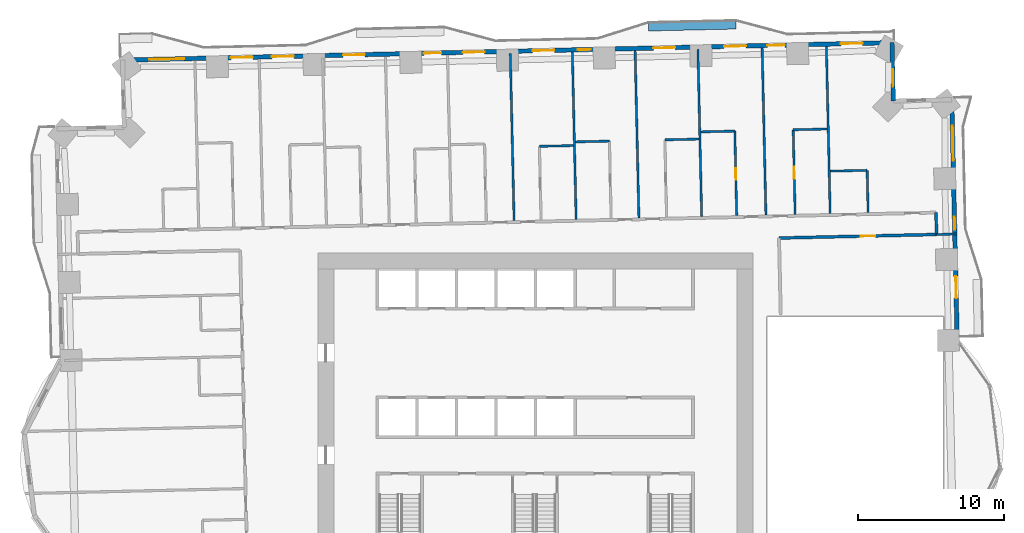
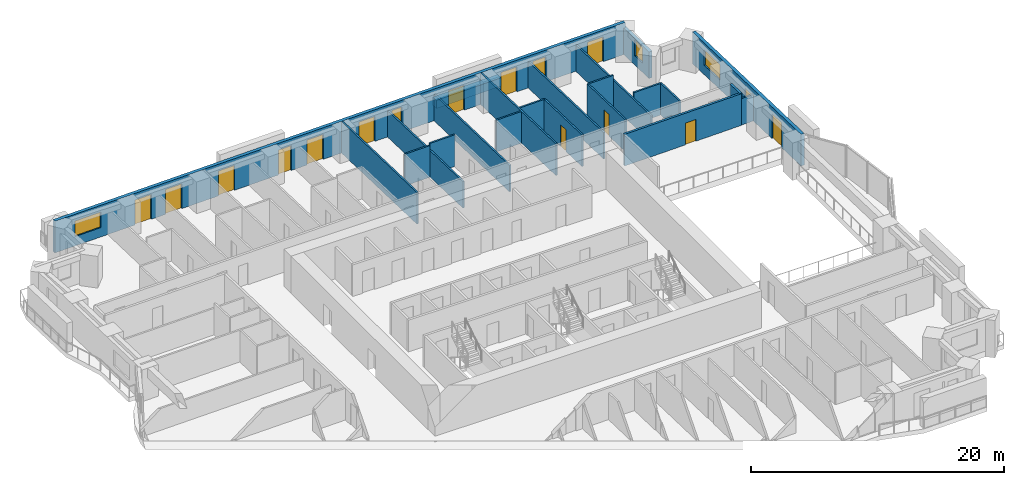
# One storey, part 11 of 16: 22 walls, 14 doors, 5 windows, 19 openings.
"""IFC4 building model written with IfcOpenShell, lengths in metres."""

from ifc_helpers import new_model, si_unit, direction, frame, frame_2d, origin, place, context, subcontext, project, spatial, rectangle, extrude, material, layer, layer_set, type_object, element, fill, save


model = new_model("IFC4")

# Units and contexts
model_context = context("Model", 3, precision=1e-05, world=origin(), true_north=direction((0.0, 1.0)))
body_context = subcontext(model_context, "Body", "Model", "MODEL_VIEW")
ifc_project = project(units=[si_unit("LENGTHUNIT", "METRE"), si_unit("AREAUNIT", "SQUARE_METRE"), si_unit("VOLUMEUNIT", "CUBIC_METRE"), si_unit("PLANEANGLEUNIT", "RADIAN"), si_unit("MASSUNIT", "GRAM", prefix="KILO")], contexts=[model_context])

# Site, building, storey
site_placement = place(None, origin())
site = spatial("IfcSite", under=ifc_project, at=site_placement, CompositionType="ELEMENT")
building_placement = place(site_placement, origin())
building = spatial("IfcBuilding", under=site, at=building_placement, Name="Mangrove Gate Tower", CompositionType="ELEMENT")
storey_placement = place(building_placement, frame((0.0, 0.0, 48.5)))
storey = spatial("IfcBuildingStorey", under=building, at=storey_placement, Name="L11", CompositionType="ELEMENT", Elevation=48.5)

# Wall, opening, door
ifc_material_1 = material(Name="Gypsum board on steel stud, EI 60", Category="steel")
ifc_layer_1 = layer(ifc_material_1, 0.199951171875)
ifc_layer_set_1 = layer_set([ifc_layer_1], Name="Corridor wall EI 60")
wall_type_1 = type_object("IfcWallType", Name="Corridor wall EI 60", PredefinedType="PARTITIONING", material=ifc_layer_set_1)
wall_1_placement = place(storey_placement, frame((16.678955078125, 12.91796875, 0.0), z_axis=(0.0, 0.0, 1.0), x_axis=(0.999742162372, 0.022707020428, 0.0)))
wall_1 = element("IfcWall", 1, at=wall_1_placement, inside=storey, type_object=wall_type_1, Name="WALL-L11-058", PredefinedType="PARTITIONING", context=body_context, shape_type="SweptSolid", body=[
    extrude(rectangle(XDim=10.794677734375, YDim=0.199951171875, at=frame_2d((5.3974609375, 0.0))), origin(), (0.0, 0.0, 1.0), 3.050048828125),
])
opening_1_placement = place(wall_1_placement, frame((5.597900390625, 0.0, 0.0)))
opening_1 = element("IfcOpeningElement", 2, at=opening_1_placement, cuts=wall_1, Name="Opening AD", PredefinedType="OPENING", context=body_context, shape_type="SweptSolid", body=[
    extrude(rectangle(XDim=1.0, YDim=2.10009765625, at=frame_2d((0.5, 1.050048828125))), frame((0.0, 0.10986328125, 0.0), z_axis=(0.0, -1.0, 0.0), x_axis=(1.0, 0.0, 0.0)), (0.0, 0.0, 1.0), 0.219970703125),
])
ifc_material_2 = material(Name="Timber door leaf", Category="wood")
door_type_1 = type_object("IfcDoorType", Name="Amenity door 1000", OperationType="SINGLE_SWING_LEFT", PredefinedType="DOOR", material=ifc_material_2)
door_1_placement = place(opening_1_placement, origin())
door_1 = element("IfcDoor", 3, at=door_1_placement, inside=storey, type_object=door_type_1, Name="DOOR-L11-KIT-c3b", OperationType="SINGLE_SWING_LEFT", OverallHeight=2.10009765625, OverallWidth=1.0, PredefinedType="DOOR", context=body_context, shape_type="SweptSolid", body=[
    extrude(rectangle(XDim=1.0, YDim=2.10009765625, at=frame_2d((0.5, 1.050048828125))), frame((0.0, 0.02490234375, 0.0), z_axis=(0.0, -1.0, 0.0), x_axis=(1.0, 0.0, 0.0)), (0.0, 0.0, 1.0), 0.050048828125),
])
fill(opening_1, door_1)

# Wall
wall_2_placement = place(storey_placement, frame((27.470947265625, 13.1630859375, 0.0), z_axis=(0.0, 0.0, 1.0), x_axis=(-0.022617910375, 0.999744182344, 0.0)))
element("IfcWall", 4, at=wall_2_placement, inside=storey, type_object=wall_type_1, Name="WALL-L11-060", PredefinedType="PARTITIONING", context=body_context, shape_type="SweptSolid", body=[
    extrude(rectangle(XDim=1.50048828125, YDim=0.199951171875, at=frame_2d((0.750244140625, 0.0))), origin(), (0.0, 0.0, 1.0), 3.050048828125),
])

# Wall, openings, door, windows
ifc_material_3 = material(Name="Limestone", Category="masonry")
ifc_layer_2 = layer(ifc_material_3, 0.0400390625, Name="Limestone cladding")
ifc_material_4 = material(Name="Ventilated air gap")
ifc_layer_3 = layer(ifc_material_4, 0.0400390625, Name="Ventilated cavity")
ifc_material_5 = material(Name="Mineral wool insulation")
ifc_layer_4 = layer(ifc_material_5, 0.06005859375, Name="Insulation")
ifc_material_6 = material(Name="Breather membrane")
ifc_layer_5 = layer(ifc_material_6, 0.001953125, Name="Breather membrane")
ifc_material_7 = material(Name="Concrete C20/25 blockwork", Category="masonry")
ifc_layer_6 = layer(ifc_material_7, 0.14990234375, Name="Blockwork backing wall")
ifc_material_8 = material(Name="Gypsum plaster")
ifc_layer_7 = layer(ifc_material_8, 0.008056640625, Name="Internal plaster")
ifc_layer_set_2 = layer_set([ifc_layer_2, ifc_layer_3, ifc_layer_4, ifc_layer_5, ifc_layer_6, ifc_layer_7], Name="External wall 300 limestone cladding")
wall_type_2 = type_object("IfcWallType", Name="External wall 300 limestone cladding", PredefinedType="SOLIDWALL", material=ifc_layer_set_2)
wall_3_placement = place(storey_placement, frame((28.886962890625, 5.864013671875, 0.0), z_axis=(0.0, 0.0, 1.0), x_axis=(-0.022687182773, 0.999742612745, 0.0)))
wall_3 = element("IfcWall", 5, at=wall_3_placement, inside=storey, type_object=wall_type_2, Name="WALL-L11-E2", PredefinedType="SOLIDWALL", context=body_context, shape_type="SweptSolid", body=[
    extrude(rectangle(XDim=16.529052734375, YDim=0.300048828125, at=frame_2d((8.2646484375, 0.0))), origin(), (0.0, 0.0, 1.0), 3.050048828125),
])
opening_2_placement = place(wall_3_placement, frame((2.94189453125, 0.0, 0.0)))
opening_2 = element("IfcOpeningElement", 6, at=opening_2_placement, cuts=wall_3, Name="Opening BD1", PredefinedType="OPENING", context=body_context, shape_type="SweptSolid", body=[
    extrude(rectangle(XDim=1.5, YDim=2.39990234375, at=frame_2d((0.75, 1.199951171875))), frame((0.0, 0.159912109375, 0.0), z_axis=(0.0, -1.0, 0.0), x_axis=(1.0, 0.0, 0.0)), (0.0, 0.0, 1.0), 0.320068359375),
])
opening_3_placement = place(wall_3_placement, frame((7.62890625, 0.0, 0.89990234375)))
opening_3 = element("IfcOpeningElement", 7, at=opening_3_placement, cuts=wall_3, Name="Opening W5", PredefinedType="OPENING", context=body_context, shape_type="SweptSolid", body=[
    extrude(rectangle(XDim=0.89990234375, YDim=1.5, at=frame_2d((0.449951171875, 0.75))), frame((0.0, 0.159912109375, 0.0), z_axis=(0.0, -1.0, 0.0), x_axis=(1.0, 0.0, 0.0)), (0.0, 0.0, 1.0), 0.320068359375),
])
opening_4_placement = place(wall_3_placement, frame((12.341064453125, 0.0, 0.89990234375)))
opening_4 = element("IfcOpeningElement", 8, at=opening_4_placement, cuts=wall_3, Name="Opening W2", PredefinedType="OPENING", context=body_context, shape_type="SweptSolid", body=[
    extrude(rectangle(XDim=2.39990234375, YDim=1.5, at=frame_2d((1.199951171875, 0.75))), frame((0.0, 0.159912109375, 0.0), z_axis=(0.0, -1.0, 0.0), x_axis=(1.0, 0.0, 0.0)), (0.0, 0.0, 1.0), 0.320068359375),
])
ifc_material_9 = material(Name="Aluminium frame with laminated clear glass", Category="aluminium")
door_type_2 = type_object("IfcDoorType", Name="Balcony sliding door 1500x2400", OperationType="SLIDING_TO_LEFT", PredefinedType="DOOR", material=ifc_material_9)
door_2_placement = place(opening_2_placement, origin())
door_2 = element("IfcDoor", 9, at=door_2_placement, inside=storey, type_object=door_type_2, Name="DOOR-L11-E2-1", OperationType="SLIDING_TO_LEFT", OverallHeight=2.39990234375, OverallWidth=1.5, PredefinedType="DOOR", context=body_context, shape_type="SweptSolid", body=[
    extrude(rectangle(XDim=1.5, YDim=2.39990234375, at=frame_2d((0.75, 1.199951171875))), frame((0.0, 0.02490234375, 0.0), z_axis=(0.0, -1.0, 0.0), x_axis=(1.0, 0.0, 0.0)), (0.0, 0.0, 1.0), 0.050048828125),
])
fill(opening_2, door_2)
ifc_material_10 = material(Name="Aluminium frame with double-glazed low-e glass", Category="aluminium")
window_type_1 = type_object("IfcWindowType", Name="Corner room window 2400x1500", PartitioningType="DOUBLE_PANEL_VERTICAL", PredefinedType="WINDOW", material=ifc_material_10)
window_1_placement = place(opening_4_placement, origin())
window_1 = element("IfcWindow", 10, at=window_1_placement, inside=storey, type_object=window_type_1, Name="WIN-L11-E2-3", OverallHeight=1.5, OverallWidth=2.39990234375, PartitioningType="DOUBLE_PANEL_VERTICAL", PredefinedType="WINDOW", context=body_context, shape_type="SweptSolid", body=[
    extrude(rectangle(XDim=2.39990234375, YDim=1.5, at=frame_2d((1.199951171875, 0.75))), frame((0.0, 0.030029296875, 0.0), z_axis=(0.0, -1.0, 0.0), x_axis=(1.0, 0.0, 0.0)), (0.0, 0.0, 1.0), 0.06005859375),
])
fill(opening_4, window_1)
ifc_material_11 = material(Name="Aluminium frame with double-glazed low-e glass", Category="aluminium")
window_type_2 = type_object("IfcWindowType", Name="Narrow window 900x1500", PartitioningType="SINGLE_PANEL", PredefinedType="WINDOW", material=ifc_material_11)
window_2_placement = place(opening_3_placement, origin())
window_2 = element("IfcWindow", 11, at=window_2_placement, inside=storey, type_object=window_type_2, Name="WIN-L11-E2-2", OverallHeight=1.5, OverallWidth=0.89990234375, PartitioningType="SINGLE_PANEL", PredefinedType="WINDOW", context=body_context, shape_type="SweptSolid", body=[
    extrude(rectangle(XDim=0.89990234375, YDim=1.5, at=frame_2d((0.449951171875, 0.75))), frame((0.0, 0.030029296875, 0.0), z_axis=(0.0, -1.0, 0.0), x_axis=(1.0, 0.0, 0.0)), (0.0, 0.0, 1.0), 0.06005859375),
])
fill(opening_3, window_2)

# Wall, opening, window
wall_4_placement = place(storey_placement, frame((24.512939453125, 22.299072265625, 0.0), z_axis=(0.0, 0.0, 1.0), x_axis=(-0.022460754759, 0.999747725427, 0.0)))
wall_4 = element("IfcWall", 12, at=wall_4_placement, inside=storey, type_object=wall_type_2, Name="WALL-L11-E4", PredefinedType="SOLIDWALL", context=body_context, shape_type="SweptSolid", body=[
    extrude(rectangle(XDim=4.0, YDim=0.300048828125, at=frame_2d((2.0, 0.0))), origin(), (0.0, 0.0, 1.0), 2.550048828125),
])
opening_5_placement = place(wall_4_placement, frame((0.97900390625, 0.0, 0.89990234375)))
opening_5 = element("IfcOpeningElement", 13, at=opening_5_placement, cuts=wall_4, Name="Opening W1", PredefinedType="OPENING", context=body_context, shape_type="SweptSolid", body=[
    extrude(rectangle(XDim=1.199951171875, YDim=1.5, at=frame_2d((0.60009765625, 0.75))), frame((0.0, 0.159912109375, 0.0), z_axis=(0.0, -1.0, 0.0), x_axis=(1.0, 0.0, 0.0)), (0.0, 0.0, 1.0), 0.320068359375),
])
ifc_material_12 = material(Name="Aluminium frame with double-glazed low-e glass", Category="aluminium")
window_type_3 = type_object("IfcWindowType", Name="Side lite 1200x1500", PartitioningType="SINGLE_PANEL", PredefinedType="WINDOW", material=ifc_material_12)
window_3_placement = place(opening_5_placement, origin())
window_3 = element("IfcWindow", 14, at=window_3_placement, inside=storey, type_object=window_type_3, Name="WIN-L11-E4-1", OverallHeight=1.5, OverallWidth=1.199951171875, PartitioningType="SINGLE_PANEL", PredefinedType="WINDOW", context=body_context, shape_type="SweptSolid", body=[
    extrude(rectangle(XDim=1.199951171875, YDim=1.5, at=frame_2d((0.60009765625, 0.75))), frame((0.0, 0.030029296875, 0.0), z_axis=(0.0, -1.0, 0.0), x_axis=(1.0, 0.0, 0.0)), (0.0, 0.0, 1.0), 0.06005859375),
])
fill(opening_5, window_3)

# Wall, openings, doors, windows
wall_5_placement = place(storey_placement, frame((24.423095703125, 26.298095703125, 0.0), z_axis=(0.0, 0.0, 1.0), x_axis=(-0.999742433108, -0.022695097355, 0.0)))
wall_5 = element("IfcWall", 15, at=wall_5_placement, inside=storey, type_object=wall_type_2, Name="WALL-L11-N5", PredefinedType="SOLIDWALL", context=body_context, shape_type="SweptSolid", body=[
    extrude(rectangle(XDim=52.70068359375, YDim=0.300048828125, at=frame_2d((26.350341796875, 0.0))), origin(), (0.0, 0.0, 1.0), 3.050048828125),
])
opening_6_placement = place(wall_5_placement, frame((2.009033203125, 0.0, 0.0)))
opening_6 = element("IfcOpeningElement", 16, at=opening_6_placement, cuts=wall_5, Name="Opening BD1", PredefinedType="OPENING", context=body_context, shape_type="SweptSolid", body=[
    extrude(rectangle(XDim=1.5, YDim=2.39990234375, at=frame_2d((0.75, 1.199951171875))), frame((0.0, 0.159912109375, 0.0), z_axis=(0.0, -1.0, 0.0), x_axis=(1.0, 0.0, 0.0)), (0.0, 0.0, 1.0), 0.320068359375),
])
opening_7_placement = place(wall_5_placement, frame((7.3369140625, 0.0, 0.0)))
opening_7 = element("IfcOpeningElement", 17, at=opening_7_placement, cuts=wall_5, Name="Opening BD2", PredefinedType="OPENING", context=body_context, shape_type="SweptSolid", body=[
    extrude(rectangle(XDim=1.199951171875, YDim=2.39990234375, at=frame_2d((0.60009765625, 1.199951171875))), frame((0.0, 0.159912109375, 0.0), z_axis=(0.0, -1.0, 0.0), x_axis=(1.0, 0.0, 0.0)), (0.0, 0.0, 1.0), 0.320068359375),
])
opening_8_placement = place(wall_5_placement, frame((10.0, 0.0, 0.0)))
opening_8 = element("IfcOpeningElement", 18, at=opening_8_placement, cuts=wall_5, Name="Opening BD1", PredefinedType="OPENING", context=body_context, shape_type="SweptSolid", body=[
    extrude(rectangle(XDim=1.5, YDim=2.39990234375, at=frame_2d((0.75, 1.199951171875))), frame((0.0, 0.159912109375, 0.0), z_axis=(0.0, -1.0, 0.0), x_axis=(1.0, 0.0, 0.0)), (0.0, 0.0, 1.0), 0.320068359375),
])
opening_9_placement = place(wall_5_placement, frame((14.85009765625, 0.0, 0.0)))
opening_9 = element("IfcOpeningElement", 19, at=opening_9_placement, cuts=wall_5, Name="Opening BD1", PredefinedType="OPENING", context=body_context, shape_type="SweptSolid", body=[
    extrude(rectangle(XDim=1.5, YDim=2.39990234375, at=frame_2d((0.75, 1.199951171875))), frame((0.0, 0.159912109375, 0.0), z_axis=(0.0, -1.0, 0.0), x_axis=(1.0, 0.0, 0.0)), (0.0, 0.0, 1.0), 0.320068359375),
])
opening_10_placement = place(wall_5_placement, frame((20.637939453125, 0.0, 0.89990234375)))
opening_10 = element("IfcOpeningElement", 20, at=opening_10_placement, cuts=wall_5, Name="Opening W5", PredefinedType="OPENING", context=body_context, shape_type="SweptSolid", body=[
    extrude(rectangle(XDim=0.89990234375, YDim=1.5, at=frame_2d((0.449951171875, 0.75))), frame((0.0, 0.159912109375, 0.0), z_axis=(0.0, -1.0, 0.0), x_axis=(1.0, 0.0, 0.0)), (0.0, 0.0, 1.0), 0.320068359375),
])
opening_11_placement = place(wall_5_placement, frame((23.125, 0.0, 0.0)))
opening_11 = element("IfcOpeningElement", 21, at=opening_11_placement, cuts=wall_5, Name="Opening BD1", PredefinedType="OPENING", context=body_context, shape_type="SweptSolid", body=[
    extrude(rectangle(XDim=1.5, YDim=2.39990234375, at=frame_2d((0.75, 1.199951171875))), frame((0.0, 0.159912109375, 0.0), z_axis=(0.0, -1.0, 0.0), x_axis=(1.0, 0.0, 0.0)), (0.0, 0.0, 1.0), 0.320068359375),
])
opening_12_placement = place(wall_5_placement, frame((27.89990234375, 0.0, 0.0)))
opening_12 = element("IfcOpeningElement", 22, at=opening_12_placement, cuts=wall_5, Name="Opening BD1", PredefinedType="OPENING", context=body_context, shape_type="SweptSolid", body=[
    extrude(rectangle(XDim=1.5, YDim=2.39990234375, at=frame_2d((0.75, 1.199951171875))), frame((0.0, 0.159912109375, 0.0), z_axis=(0.0, -1.0, 0.0), x_axis=(1.0, 0.0, 0.0)), (0.0, 0.0, 1.0), 0.320068359375),
])
opening_13_placement = place(wall_5_placement, frame((30.862060546875, 0.0, 0.0)))
opening_13 = element("IfcOpeningElement", 23, at=opening_13_placement, cuts=wall_5, Name="Opening BD2", PredefinedType="OPENING", context=body_context, shape_type="SweptSolid", body=[
    extrude(rectangle(XDim=1.199951171875, YDim=2.39990234375, at=frame_2d((0.60009765625, 1.199951171875))), frame((0.0, 0.159912109375, 0.0), z_axis=(0.0, -1.0, 0.0), x_axis=(1.0, 0.0, 0.0)), (0.0, 0.0, 1.0), 0.320068359375),
])
opening_14_placement = place(wall_5_placement, frame((36.10009765625, 0.0, 0.0)))
opening_14 = element("IfcOpeningElement", 24, at=opening_14_placement, cuts=wall_5, Name="Opening BD1", PredefinedType="OPENING", context=body_context, shape_type="SweptSolid", body=[
    extrude(rectangle(XDim=1.5, YDim=2.39990234375, at=frame_2d((0.75, 1.199951171875))), frame((0.0, 0.159912109375, 0.0), z_axis=(0.0, -1.0, 0.0), x_axis=(1.0, 0.0, 0.0)), (0.0, 0.0, 1.0), 0.320068359375),
])
opening_15_placement = place(wall_5_placement, frame((40.97509765625, 0.0, 0.0)))
opening_15 = element("IfcOpeningElement", 25, at=opening_15_placement, cuts=wall_5, Name="Opening BD1", PredefinedType="OPENING", context=body_context, shape_type="SweptSolid", body=[
    extrude(rectangle(XDim=1.5, YDim=2.39990234375, at=frame_2d((0.75, 1.199951171875))), frame((0.0, 0.159912109375, 0.0), z_axis=(0.0, -1.0, 0.0), x_axis=(1.0, 0.0, 0.0)), (0.0, 0.0, 1.0), 0.320068359375),
])
opening_16_placement = place(wall_5_placement, frame((43.7880859375, 0.0, 0.0)))
opening_16 = element("IfcOpeningElement", 26, at=opening_16_placement, cuts=wall_5, Name="Opening BD1", PredefinedType="OPENING", context=body_context, shape_type="SweptSolid", body=[
    extrude(rectangle(XDim=1.5, YDim=2.39990234375, at=frame_2d((0.75, 1.199951171875))), frame((0.0, 0.159912109375, 0.0), z_axis=(0.0, -1.0, 0.0), x_axis=(1.0, 0.0, 0.0)), (0.0, 0.0, 1.0), 0.320068359375),
])
opening_17_placement = place(wall_5_placement, frame((48.464111328125, 0.0, 0.89990234375)))
opening_17 = element("IfcOpeningElement", 27, at=opening_17_placement, cuts=wall_5, Name="Opening W2", PredefinedType="OPENING", context=body_context, shape_type="SweptSolid", body=[
    extrude(rectangle(XDim=2.39990234375, YDim=1.5, at=frame_2d((1.199951171875, 0.75))), frame((0.0, 0.159912109375, 0.0), z_axis=(0.0, -1.0, 0.0), x_axis=(1.0, 0.0, 0.0)), (0.0, 0.0, 1.0), 0.320068359375),
])
ifc_material_13 = material(Name="Aluminium frame with laminated clear glass", Category="aluminium")
door_type_3 = type_object("IfcDoorType", Name="Balcony sliding door 1200x2400", OperationType="SLIDING_TO_LEFT", PredefinedType="DOOR", material=ifc_material_13)
door_3_placement = place(opening_7_placement, origin())
door_3 = element("IfcDoor", 28, at=door_3_placement, inside=storey, type_object=door_type_3, Name="DOOR-L11-N5-2", OperationType="SLIDING_TO_LEFT", OverallHeight=2.39990234375, OverallWidth=1.199951171875, PredefinedType="DOOR", context=body_context, shape_type="SweptSolid", body=[
    extrude(rectangle(XDim=1.199951171875, YDim=2.39990234375, at=frame_2d((0.60009765625, 1.199951171875))), frame((0.0, 0.02490234375, 0.0), z_axis=(0.0, -1.0, 0.0), x_axis=(1.0, 0.0, 0.0)), (0.0, 0.0, 1.0), 0.050048828125),
])
fill(opening_7, door_3)
door_4_placement = place(opening_13_placement, origin())
door_4 = element("IfcDoor", 29, at=door_4_placement, inside=storey, type_object=door_type_3, Name="DOOR-L11-N5-8", OperationType="SLIDING_TO_LEFT", OverallHeight=2.39990234375, OverallWidth=1.199951171875, PredefinedType="DOOR", context=body_context, shape_type="SweptSolid", body=[
    extrude(rectangle(XDim=1.199951171875, YDim=2.39990234375, at=frame_2d((0.60009765625, 1.199951171875))), frame((0.0, 0.02490234375, 0.0), z_axis=(0.0, -1.0, 0.0), x_axis=(1.0, 0.0, 0.0)), (0.0, 0.0, 1.0), 0.050048828125),
])
fill(opening_13, door_4)
door_5_placement = place(opening_6_placement, origin())
door_5 = element("IfcDoor", 30, at=door_5_placement, inside=storey, type_object=door_type_2, Name="DOOR-L11-N5-1", OperationType="SLIDING_TO_LEFT", OverallHeight=2.39990234375, OverallWidth=1.5, PredefinedType="DOOR", context=body_context, shape_type="SweptSolid", body=[
    extrude(rectangle(XDim=1.5, YDim=2.39990234375, at=frame_2d((0.75, 1.199951171875))), frame((0.0, 0.02490234375, 0.0), z_axis=(0.0, -1.0, 0.0), x_axis=(1.0, 0.0, 0.0)), (0.0, 0.0, 1.0), 0.050048828125),
])
fill(opening_6, door_5)
door_6_placement = place(opening_8_placement, origin())
door_6 = element("IfcDoor", 31, at=door_6_placement, inside=storey, type_object=door_type_2, Name="DOOR-L11-N5-3", OperationType="SLIDING_TO_LEFT", OverallHeight=2.39990234375, OverallWidth=1.5, PredefinedType="DOOR", context=body_context, shape_type="SweptSolid", body=[
    extrude(rectangle(XDim=1.5, YDim=2.39990234375, at=frame_2d((0.75, 1.199951171875))), frame((0.0, 0.02490234375, 0.0), z_axis=(0.0, -1.0, 0.0), x_axis=(1.0, 0.0, 0.0)), (0.0, 0.0, 1.0), 0.050048828125),
])
fill(opening_8, door_6)
door_7_placement = place(opening_9_placement, origin())
door_7 = element("IfcDoor", 32, at=door_7_placement, inside=storey, type_object=door_type_2, Name="DOOR-L11-N5-4", OperationType="SLIDING_TO_LEFT", OverallHeight=2.39990234375, OverallWidth=1.5, PredefinedType="DOOR", context=body_context, shape_type="SweptSolid", body=[
    extrude(rectangle(XDim=1.5, YDim=2.39990234375, at=frame_2d((0.75, 1.199951171875))), frame((0.0, 0.02490234375, 0.0), z_axis=(0.0, -1.0, 0.0), x_axis=(1.0, 0.0, 0.0)), (0.0, 0.0, 1.0), 0.050048828125),
])
fill(opening_9, door_7)
door_8_placement = place(opening_11_placement, origin())
door_8 = element("IfcDoor", 33, at=door_8_placement, inside=storey, type_object=door_type_2, Name="DOOR-L11-N5-6", OperationType="SLIDING_TO_LEFT", OverallHeight=2.39990234375, OverallWidth=1.5, PredefinedType="DOOR", context=body_context, shape_type="SweptSolid", body=[
    extrude(rectangle(XDim=1.5, YDim=2.39990234375, at=frame_2d((0.75, 1.199951171875))), frame((0.0, 0.02490234375, 0.0), z_axis=(0.0, -1.0, 0.0), x_axis=(1.0, 0.0, 0.0)), (0.0, 0.0, 1.0), 0.050048828125),
])
fill(opening_11, door_8)
door_9_placement = place(opening_12_placement, origin())
door_9 = element("IfcDoor", 34, at=door_9_placement, inside=storey, type_object=door_type_2, Name="DOOR-L11-N5-7", OperationType="SLIDING_TO_LEFT", OverallHeight=2.39990234375, OverallWidth=1.5, PredefinedType="DOOR", context=body_context, shape_type="SweptSolid", body=[
    extrude(rectangle(XDim=1.5, YDim=2.39990234375, at=frame_2d((0.75, 1.199951171875))), frame((0.0, 0.02490234375, 0.0), z_axis=(0.0, -1.0, 0.0), x_axis=(1.0, 0.0, 0.0)), (0.0, 0.0, 1.0), 0.050048828125),
])
fill(opening_12, door_9)
door_10_placement = place(opening_14_placement, origin())
door_10 = element("IfcDoor", 35, at=door_10_placement, inside=storey, type_object=door_type_2, Name="DOOR-L11-N5-9", OperationType="SLIDING_TO_LEFT", OverallHeight=2.39990234375, OverallWidth=1.5, PredefinedType="DOOR", context=body_context, shape_type="SweptSolid", body=[
    extrude(rectangle(XDim=1.5, YDim=2.39990234375, at=frame_2d((0.75, 1.199951171875))), frame((0.0, 0.02490234375, 0.0), z_axis=(0.0, -1.0, 0.0), x_axis=(1.0, 0.0, 0.0)), (0.0, 0.0, 1.0), 0.050048828125),
])
fill(opening_14, door_10)
door_11_placement = place(opening_15_placement, origin())
door_11 = element("IfcDoor", 36, at=door_11_placement, inside=storey, type_object=door_type_2, Name="DOOR-L11-N5-10", OperationType="SLIDING_TO_LEFT", OverallHeight=2.39990234375, OverallWidth=1.5, PredefinedType="DOOR", context=body_context, shape_type="SweptSolid", body=[
    extrude(rectangle(XDim=1.5, YDim=2.39990234375, at=frame_2d((0.75, 1.199951171875))), frame((0.0, 0.02490234375, 0.0), z_axis=(0.0, -1.0, 0.0), x_axis=(1.0, 0.0, 0.0)), (0.0, 0.0, 1.0), 0.050048828125),
])
fill(opening_15, door_11)
door_12_placement = place(opening_16_placement, origin())
door_12 = element("IfcDoor", 37, at=door_12_placement, inside=storey, type_object=door_type_2, Name="DOOR-L11-N5-11", OperationType="SLIDING_TO_LEFT", OverallHeight=2.39990234375, OverallWidth=1.5, PredefinedType="DOOR", context=body_context, shape_type="SweptSolid", body=[
    extrude(rectangle(XDim=1.5, YDim=2.39990234375, at=frame_2d((0.75, 1.199951171875))), frame((0.0, 0.02490234375, 0.0), z_axis=(0.0, -1.0, 0.0), x_axis=(1.0, 0.0, 0.0)), (0.0, 0.0, 1.0), 0.050048828125),
])
fill(opening_16, door_12)
window_4_placement = place(opening_17_placement, origin())
window_4 = element("IfcWindow", 38, at=window_4_placement, inside=storey, type_object=window_type_1, Name="WIN-L11-N5-12", OverallHeight=1.5, OverallWidth=2.39990234375, PartitioningType="DOUBLE_PANEL_VERTICAL", PredefinedType="WINDOW", context=body_context, shape_type="SweptSolid", body=[
    extrude(rectangle(XDim=2.39990234375, YDim=1.5, at=frame_2d((1.199951171875, 0.75))), frame((0.0, 0.030029296875, 0.0), z_axis=(0.0, -1.0, 0.0), x_axis=(1.0, 0.0, 0.0)), (0.0, 0.0, 1.0), 0.06005859375),
])
fill(opening_17, window_4)
window_5_placement = place(opening_10_placement, origin())
window_5 = element("IfcWindow", 39, at=window_5_placement, inside=storey, type_object=window_type_2, Name="WIN-L11-N5-5", OverallHeight=1.5, OverallWidth=0.89990234375, PartitioningType="SINGLE_PANEL", PredefinedType="WINDOW", context=body_context, shape_type="SweptSolid", body=[
    extrude(rectangle(XDim=0.89990234375, YDim=1.5, at=frame_2d((0.449951171875, 0.75))), frame((0.0, 0.030029296875, 0.0), z_axis=(0.0, -1.0, 0.0), x_axis=(1.0, 0.0, 0.0)), (0.0, 0.0, 1.0), 0.06005859375),
])
fill(opening_10, window_5)

# Walls
ifc_material_14 = material(Name="Gypsum board on steel stud, EI 60", Category="steel")
ifc_layer_8 = layer(ifc_material_14, 0.14990234375)
ifc_layer_set_3 = layer_set([ifc_layer_8], Name="Party wall 150 EI 60")
wall_type_3 = type_object("IfcWallType", Name="Party wall 150 EI 60", PredefinedType="PARTITIONING", material=ifc_layer_set_3)
wall_6_placement = place(storey_placement, frame((27.470947265625, 13.1630859375, 0.0), z_axis=(0.0, 0.0, 1.0), x_axis=(0.999739219063, 0.022836240226, 0.0)))
element("IfcWall", 40, at=wall_6_placement, inside=storey, type_object=wall_type_3, Name="WALL-L11-059", PredefinedType="PARTITIONING", context=body_context, shape_type="SweptSolid", body=[
    extrude(rectangle(XDim=1.400390625, YDim=0.14990234375, at=frame_2d((0.7001953125, 0.0))), origin(), (0.0, 0.0, 1.0), 2.550048828125),
])
wall_7_placement = place(storey_placement, frame((-1.45703125, 14.10693359375, 0.0), z_axis=(0.0, 0.0, 1.0), x_axis=(-0.022706391805, 0.999742176649, 0.0)))
element("IfcWall", 41, at=wall_7_placement, inside=storey, type_object=wall_type_3, Name="WALL-L11-073", PredefinedType="PARTITIONING", context=body_context, shape_type="SweptSolid", body=[
    extrude(rectangle(XDim=11.450927734375, YDim=0.14990234375, at=frame_2d((5.7255859375, 0.0))), origin(), (0.0, 0.0, 1.0), 3.050048828125),
])
wall_8_placement = place(storey_placement, frame((2.791015625, 14.2041015625, 0.0), z_axis=(0.0, 0.0, 1.0), x_axis=(-0.022623564427, 0.999744054412, 0.0)))
element("IfcWall", 42, at=wall_8_placement, inside=storey, type_object=wall_type_3, Name="WALL-L11-075", PredefinedType="PARTITIONING", context=body_context, shape_type="SweptSolid", body=[
    extrude(rectangle(XDim=11.44970703125, YDim=0.14990234375, at=frame_2d((5.724853515625, 0.0))), origin(), (0.0, 0.0, 1.0), 2.550048828125),
])
wall_9_placement = place(storey_placement, frame((7.090087890625, 14.301025390625, 0.0), z_axis=(0.0, 0.0, 1.0), x_axis=(-0.022621153305, 0.999744108971, 0.0)))
element("IfcWall", 43, at=wall_9_placement, inside=storey, type_object=wall_type_3, Name="WALL-L11-077", PredefinedType="PARTITIONING", context=body_context, shape_type="SweptSolid", body=[
    extrude(rectangle(XDim=11.450927734375, YDim=0.14990234375, at=frame_2d((5.7255859375, 0.0))), origin(), (0.0, 0.0, 1.0), 2.550048828125),
])
wall_10_placement = place(storey_placement, frame((11.388916015625, 14.39892578125, 0.0), z_axis=(0.0, 0.0, 1.0), x_axis=(-0.022708327922, 0.999742132674, 0.0)))
element("IfcWall", 44, at=wall_10_placement, inside=storey, type_object=wall_type_3, Name="WALL-L11-079", PredefinedType="PARTITIONING", context=body_context, shape_type="SweptSolid", body=[
    extrude(rectangle(XDim=11.449951171875, YDim=0.14990234375, at=frame_2d((5.72509765625, 0.0))), origin(), (0.0, 0.0, 1.0), 3.050048828125),
])

# Wall, opening, door
wall_11_placement = place(storey_placement, frame((13.7890625, 14.452880859375, 0.0), z_axis=(0.0, 0.0, 1.0), x_axis=(-0.022809516176, 0.999739829141, 0.0)))
wall_11 = element("IfcWall", 45, at=wall_11_placement, inside=storey, type_object=wall_type_3, Name="WALL-L11-080", PredefinedType="PARTITIONING", context=body_context, shape_type="SweptSolid", body=[
    extrude(rectangle(XDim=5.79052734375, YDim=0.14990234375, at=frame_2d((2.895263671875, 0.0))), origin(), (0.0, 0.0, 1.0), 3.050048828125),
])
opening_18_placement = place(wall_11_placement, frame((2.445068359375, 0.0, 0.0)))
opening_18 = element("IfcOpeningElement", 46, at=opening_18_placement, cuts=wall_11, Name="Opening ED", PredefinedType="OPENING", context=body_context, shape_type="SweptSolid", body=[
    extrude(rectangle(XDim=0.800048828125, YDim=2.10009765625, at=frame_2d((0.39990234375, 1.050048828125))), frame((0.0, 0.0849609375, 0.0), z_axis=(0.0, -1.0, 0.0), x_axis=(1.0, 0.0, 0.0)), (0.0, 0.0, 1.0), 0.169921875),
])
ifc_material_15 = material(Name="Timber door leaf", Category="wood")
door_type_4 = type_object("IfcDoorType", Name="En-suite door 800", OperationType="SINGLE_SWING_LEFT", PredefinedType="DOOR", material=ifc_material_15)
door_13_placement = place(opening_18_placement, origin())
door_13 = element("IfcDoor", 47, at=door_13_placement, inside=storey, type_object=door_type_4, Name="DOOR-L11-ENS-c311", OperationType="SINGLE_SWING_LEFT", OverallHeight=2.10009765625, OverallWidth=0.800048828125, PredefinedType="DOOR", context=body_context, shape_type="SweptSolid", body=[
    extrude(rectangle(XDim=0.800048828125, YDim=2.10009765625, at=frame_2d((0.39990234375, 1.050048828125))), frame((0.0, 0.02490234375, 0.0), z_axis=(0.0, -1.0, 0.0), x_axis=(1.0, 0.0, 0.0)), (0.0, 0.0, 1.0), 0.050048828125),
])
fill(opening_18, door_13)

# Wall
wall_12_placement = place(storey_placement, frame((15.7880859375, 14.4990234375, 0.0), z_axis=(0.0, 0.0, 1.0), x_axis=(-0.022708327922, 0.999742132674, 0.0)))
element("IfcWall", 48, at=wall_12_placement, inside=storey, type_object=wall_type_3, Name="WALL-L11-081", PredefinedType="PARTITIONING", context=body_context, shape_type="SweptSolid", body=[
    extrude(rectangle(XDim=11.449951171875, YDim=0.14990234375, at=frame_2d((5.72509765625, 0.0))), origin(), (0.0, 0.0, 1.0), 2.550048828125),
])

# Wall, opening, door
wall_13_placement = place(storey_placement, frame((17.7880859375, 14.5439453125, 0.0), z_axis=(0.0, 0.0, 1.0), x_axis=(-0.022809516176, 0.999739829141, 0.0)))
wall_13 = element("IfcWall", 49, at=wall_13_placement, inside=storey, type_object=wall_type_3, Name="WALL-L11-082", PredefinedType="PARTITIONING", context=body_context, shape_type="SweptSolid", body=[
    extrude(rectangle(XDim=5.79052734375, YDim=0.14990234375, at=frame_2d((2.895263671875, 0.0))), origin(), (0.0, 0.0, 1.0), 3.050048828125),
])
opening_19_placement = place(wall_13_placement, frame((2.445068359375, 0.0, 0.0)))
opening_19 = element("IfcOpeningElement", 50, at=opening_19_placement, cuts=wall_13, Name="Opening ED", PredefinedType="OPENING", context=body_context, shape_type="SweptSolid", body=[
    extrude(rectangle(XDim=0.800048828125, YDim=2.10009765625, at=frame_2d((0.39990234375, 1.050048828125))), frame((0.0, 0.0849609375, 0.0), z_axis=(0.0, -1.0, 0.0), x_axis=(1.0, 0.0, 0.0)), (0.0, 0.0, 1.0), 0.169921875),
])
door_14_placement = place(opening_19_placement, origin())
door_14 = element("IfcDoor", 51, at=door_14_placement, inside=storey, type_object=door_type_4, Name="DOOR-L11-ENS-c310", OperationType="SINGLE_SWING_RIGHT", OverallHeight=2.10009765625, OverallWidth=0.800048828125, PredefinedType="DOOR", context=body_context, shape_type="SweptSolid", body=[
    extrude(rectangle(XDim=0.800048828125, YDim=2.10009765625, at=frame_2d((0.39990234375, 1.050048828125))), frame((0.0, 0.02490234375, 0.0), z_axis=(0.0, -1.0, 0.0), x_axis=(1.0, 0.0, 0.0)), (0.0, 0.0, 1.0), 0.050048828125),
])
fill(opening_19, door_14)

# Walls
wall_14_placement = place(storey_placement, frame((20.18701171875, 14.597900390625, 0.0), z_axis=(0.0, 0.0, 1.0), x_axis=(-0.022706391805, 0.999742176649, 0.0)))
element("IfcWall", 52, at=wall_14_placement, inside=storey, type_object=wall_type_3, Name="WALL-L11-083", PredefinedType="PARTITIONING", context=body_context, shape_type="SweptSolid", body=[
    extrude(rectangle(XDim=11.450927734375, YDim=0.14990234375, at=frame_2d((5.7255859375, 0.0))), origin(), (0.0, 0.0, 1.0), 2.550048828125),
])
wall_15_placement = place(storey_placement, frame((22.785888671875, 14.656982421875, 0.0), z_axis=(0.0, 0.0, 1.0), x_axis=(-0.022388729138, 0.999749340989, 0.0)))
element("IfcWall", 53, at=wall_15_placement, inside=storey, type_object=wall_type_3, Name="WALL-L11-084", PredefinedType="PARTITIONING", context=body_context, shape_type="SweptSolid", body=[
    extrude(rectangle(XDim=2.900634765625, YDim=0.14990234375, at=frame_2d((1.4501953125, 0.0))), origin(), (0.0, 0.0, 1.0), 3.050048828125),
])
wall_16_placement = place(storey_placement, frame((20.196044921875, 17.4990234375, 0.0), z_axis=(0.0, 0.0, 1.0), x_axis=(0.999737525802, 0.022910248851, 0.0)))
element("IfcWall", 54, at=wall_16_placement, inside=storey, type_object=wall_type_3, Name="WALL-L11-086", PredefinedType="PARTITIONING", context=body_context, shape_type="SweptSolid", body=[
    extrude(rectangle(XDim=2.525634765625, YDim=0.14990234375, at=frame_2d((1.2626953125, 0.0))), origin(), (0.0, 0.0, 1.0), 3.050048828125),
])
for number, where, z_axis, x_axis, name in (
    (55, (0.277099609375, 19.197998046875, 0.0), (0.0, 0.0, 1.0), (0.999740478815, 0.022781023197, 0.0), "WALL-L11-088"),
    (56, (2.74609375, 19.50390625, 0.0), (0.0, 0.0, 1.0), (0.999740478815, 0.022781023197, 0.0), "WALL-L11-091"),
):
    element("IfcWall", number, at=place(storey_placement, frame(where, z_axis=z_axis, x_axis=x_axis)), inside=storey, type_object=wall_type_3, Name=name, PredefinedType="PARTITIONING", context=body_context, shape_type="SweptSolid", body=[
        extrude(rectangle(XDim=2.325439453125, YDim=0.14990234375, at=frame_2d((1.16259765625, 0.0))), origin(), (0.0, 0.0, 1.0), 3.050048828125),
    ])
for number, where, z_axis, x_axis, name in (
    (57, (8.8701171875, 19.64306640625, 0.0), (0.0, 0.0, 1.0), (0.999740260747, 0.02279059109, 0.0), "WALL-L11-092"),
    (58, (11.3330078125, 20.18896484375, 0.0), (0.0, 0.0, 1.0), (0.999740260747, 0.02279059109, 0.0), "WALL-L11-095"),
):
    element("IfcWall", number, at=place(storey_placement, frame(where, z_axis=z_axis, x_axis=x_axis)), inside=storey, type_object=wall_type_3, Name=name, PredefinedType="PARTITIONING", context=body_context, shape_type="SweptSolid", body=[
        extrude(rectangle(XDim=2.324462890625, YDim=0.14990234375, at=frame_2d((1.162109375, 0.0))), origin(), (0.0, 0.0, 1.0), 3.050048828125),
    ])
wall_17_placement = place(storey_placement, frame((17.656005859375, 20.3330078125, 0.0), z_axis=(0.0, 0.0, 1.0), x_axis=(0.999749954681, 0.022361308448, 0.0)))
element("IfcWall", 59, at=wall_17_placement, inside=storey, type_object=wall_type_3, Name="WALL-L11-096", PredefinedType="PARTITIONING", context=body_context, shape_type="SweptSolid", body=[
    extrude(rectangle(XDim=2.325439453125, YDim=0.14990234375, at=frame_2d((1.16259765625, 0.0))), origin(), (0.0, 0.0, 1.0), 3.050048828125),
])
ifc_material_16 = material(Name="Concrete C32/40", Category="concrete")
ifc_layer_9 = layer(ifc_material_16, 0.199951171875, Name="Planter trough wall")
ifc_material_17 = material(Name="Bituminous waterproofing membrane")
ifc_layer_10 = layer(ifc_material_17, 0.0048828125, Name="Waterproofing")
ifc_material_18 = material(Name="Drainage board and gravel")
ifc_layer_11 = layer(ifc_material_18, 0.044921875, Name="Drainage layer")
ifc_material_19 = material(Name="Planting soil")
ifc_layer_12 = layer(ifc_material_19, 0.300048828125, Name="Growing medium")
ifc_layer_set_4 = layer_set([ifc_layer_9, ifc_layer_10, ifc_layer_11, ifc_layer_12], Name="Planter wall 550 C32/40")
wall_type_4 = type_object("IfcWallType", Name="Planter wall 550 C32/40", PredefinedType="USERDEFINED", material=ifc_layer_set_4)
wall_18_placement = place(storey_placement, frame((7.743896484375, 27.368896484375, 0.0), z_axis=(0.0, 0.0, 1.0), x_axis=(0.999743178102, 0.022662255828, 0.0)))
element("IfcWall", 60, at=wall_18_placement, inside=storey, type_object=wall_type_4, Name="PLANTER L11 N0.1", ObjectType="PLANTER", PredefinedType="USERDEFINED", context=body_context, shape_type="SweptSolid", body=[
    extrude(rectangle(XDim=6.00048828125, YDim=0.550048828125, at=frame_2d((3.000244140625, 0.0))), origin(), (0.0, 0.0, 1.0), 0.800048828125),
])

save(model, "model.ifc")
